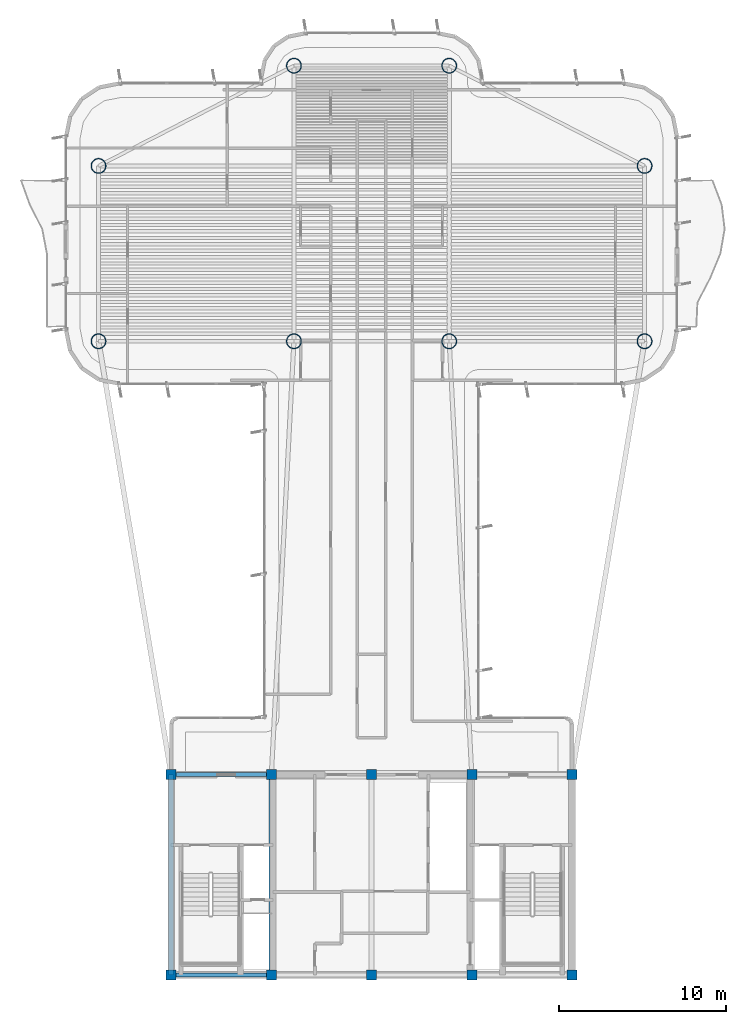
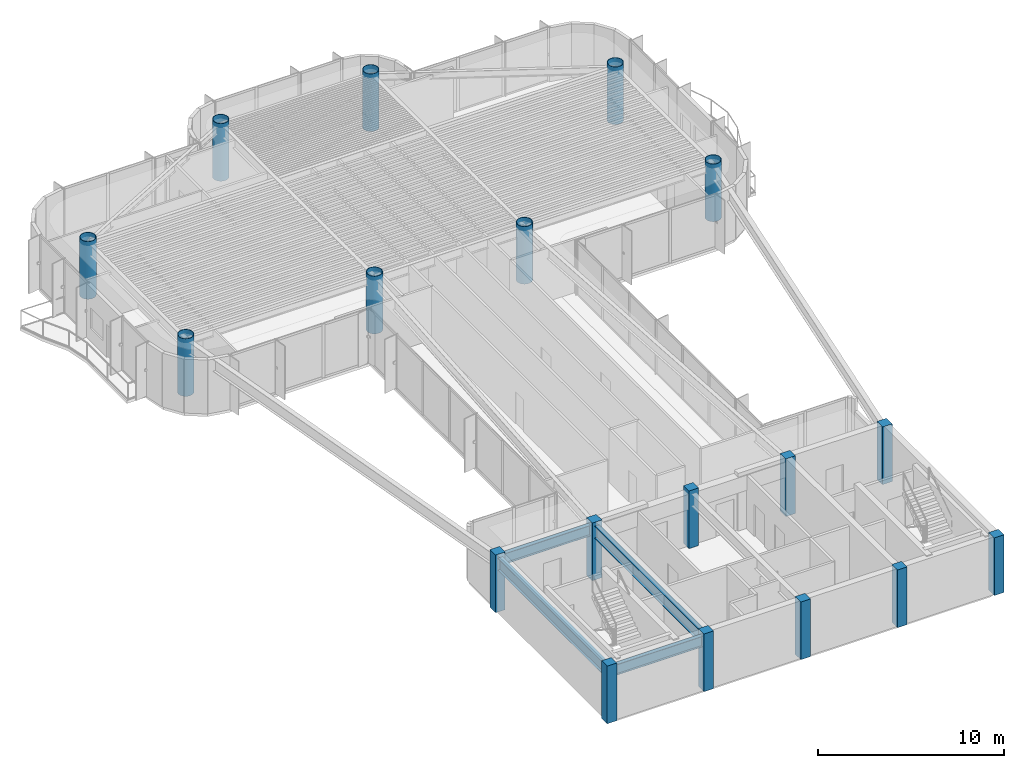
# One storey, part 1 of 15: 18 columns, 4 beams.
"""IFC4 building model written with IfcOpenShell, lengths in metres."""

from ifc_helpers import new_model, si_unit, direction, frame, origin, origin_2d, place, context, subcontext, project, spatial, rectangle, hollow_circle, i_section, extrude, source, transform, mapped, material, material_profile, profile_set, type_object, element, save


model = new_model("IFC4")

# Units and contexts
model_context = context("Model", 3, precision=1e-05, world=origin(), true_north=direction((0.0, 1.0)))
body_context = subcontext(model_context, "Body", "Model", "MODEL_VIEW")
ifc_project = project(units=[si_unit("LENGTHUNIT", "METRE"), si_unit("AREAUNIT", "SQUARE_METRE"), si_unit("VOLUMEUNIT", "CUBIC_METRE"), si_unit("PLANEANGLEUNIT", "RADIAN"), si_unit("MASSUNIT", "GRAM", prefix="KILO")], contexts=[model_context])

# Site, building, storey
site_placement = place(None, origin())
site = spatial("IfcSite", under=ifc_project, at=site_placement, CompositionType="ELEMENT")
building_placement = place(site_placement, origin())
building = spatial("IfcBuilding", under=site, at=building_placement, Name="Brelvock Crest Care Tower", CompositionType="ELEMENT")
storey_placement = place(building_placement, frame((0.0, 0.0, 272.159912109375)))
storey = spatial("IfcBuildingStorey", under=building, at=storey_placement, Name="L69", CompositionType="ELEMENT", Elevation=272.159912109375)

# Columns
ifc_material_1 = material(Name="Concrete S65 (65 MPa)", Category="concrete")
ifc_material_profile_1 = material_profile(ifc_material_1, rectangle(XDim=0.60009765625, YDim=0.60009765625, at=origin_2d()), Name="RC600x600")
ifc_profile_set_1 = profile_set([ifc_material_profile_1], Name="Concrete S65 (65 MPa)")
column_type_1 = type_object("IfcColumnType", Name="COL-RC4", PredefinedType="COLUMN", material=ifc_profile_set_1)
shared_shape_1 = source(origin(), body_context, "Body", "SweptSolid", [
    extrude(rectangle(XDim=0.60009765625, YDim=0.60009765625, at=origin_2d()), origin(), (0.0, 0.0, 1.0), 3.780029296875),
])
for number, where, z_axis, x_axis, name in (
    (1, (24.0, 6.0, 0.0), (0.0, 0.0, 1.0), (1.0, 0.0, 0.0), "L69 Core Column CC-01"),
    (2, (30.0, 6.0, 0.0), (0.0, 0.0, 1.0), (1.0, 0.0, 0.0), "L69 Core Column CC-02"),
    (3, (36.0, 6.0, 0.0), (0.0, 0.0, 1.0), (1.0, 0.0, 0.0), "L69 Core Column CC-03"),
    (4, (42.0, 6.0, 0.0), (0.0, 0.0, 1.0), (1.0, 0.0, 0.0), "L69 Core Column CC-04"),
    (5, (48.0, 6.0, 0.0), (0.0, 0.0, 1.0), (1.0, 0.0, 0.0), "L69 Core Column CC-05"),
    (6, (24.0, 18.0, 0.0), (0.0, 0.0, 1.0), (1.0, 0.0, 0.0), "L69 Core Column CC-06"),
    (7, (30.0, 18.0, 0.0), (0.0, 0.0, 1.0), (1.0, 0.0, 0.0), "L69 Core Column CC-07"),
    (8, (36.0, 18.0, 0.0), (0.0, 0.0, 1.0), (1.0, 0.0, 0.0), "L69 Core Column CC-08"),
    (9, (42.0, 18.0, 0.0), (0.0, 0.0, 1.0), (1.0, 0.0, 0.0), "L69 Core Column CC-09"),
    (10, (48.0, 18.0, 0.0), (0.0, 0.0, 1.0), (1.0, 0.0, 0.0), "L69 Core Column CC-10"),
):
    element("IfcColumn", number, at=place(storey_placement, frame(where, z_axis=z_axis, x_axis=x_axis)), inside=storey, type_object=column_type_1, Name=name, PredefinedType="COLUMN", context=body_context, shape_type="MappedRepresentation", body=[
        mapped(shared_shape_1, transform((0.0, 0.0, 0.0), x_axis=(1.0, 0.0, 0.0), y_axis=(0.0, 1.0, 0.0), z_axis=(0.0, 0.0, 1.0), scale=1.0)),
    ])
ifc_material_2 = material(Name="Steel Grade 350", Category="steel")
ifc_material_profile_2 = material_profile(ifc_material_2, hollow_circle(Radius=0.449951171875, WallThickness=0.031982421875, at=origin_2d()), Name="CFT900x32")
ifc_profile_set_2 = profile_set([ifc_material_profile_2], Name="Steel Grade 350")
column_type_2 = type_object("IfcColumnType", Name="COL-MC4", PredefinedType="COLUMN", material=ifc_profile_set_2)
shared_shape_2 = source(origin(), body_context, "Body", "SweptSolid", [
    extrude(hollow_circle(Radius=0.449951171875, WallThickness=0.031982421875, at=origin_2d()), origin(), (0.0, 0.0, 1.0), 3.780029296875),
])
for number, where, z_axis, x_axis, name in (
    (11, (19.64990234375, 43.949951171875, 0.0), (0.0, 0.0, 1.0), (1.0, 0.0, 0.0), "L69 Tower Column M1"),
    (12, (19.64990234375, 54.449951171875, 0.0), (0.0, 0.0, 1.0), (1.0, 0.0, 0.0), "L69 Tower Column M2"),
    (13, (52.35009765625, 43.949951171875, 0.0), (0.0, 0.0, 1.0), (1.0, 0.0, 0.0), "L69 Tower Column M3"),
    (14, (52.35009765625, 54.449951171875, 0.0), (0.0, 0.0, 1.0), (1.0, 0.0, 0.0), "L69 Tower Column M4"),
    (15, (31.35009765625, 43.949951171875, 0.0), (0.0, 0.0, 1.0), (1.0, 0.0, 0.0), "L69 Tower Column M5"),
    (16, (40.64990234375, 43.949951171875, 0.0), (0.0, 0.0, 1.0), (1.0, 0.0, 0.0), "L69 Tower Column M6"),
    (17, (31.35009765625, 60.449951171875, 0.0), (0.0, 0.0, 1.0), (1.0, 0.0, 0.0), "L69 Tower Column M7"),
    (18, (40.64990234375, 60.449951171875, 0.0), (0.0, 0.0, 1.0), (1.0, 0.0, 0.0), "L69 Tower Column M8"),
):
    element("IfcColumn", number, at=place(storey_placement, frame(where, z_axis=z_axis, x_axis=x_axis)), inside=storey, type_object=column_type_2, Name=name, PredefinedType="COLUMN", context=body_context, shape_type="MappedRepresentation", body=[
        mapped(shared_shape_2, transform((0.0, 0.0, 0.0), x_axis=(1.0, 0.0, 0.0), y_axis=(0.0, 1.0, 0.0), z_axis=(0.0, 0.0, 1.0), scale=1.0)),
    ])

# Beams
ifc_material_profile_3 = material_profile(ifc_material_2, i_section(OverallWidth=0.25, OverallDepth=0.699951171875, WebThickness=0.011962890625, FlangeThickness=0.02001953125, at=origin_2d()), Name="700WB150")
ifc_profile_set_3 = profile_set([ifc_material_profile_3], Name="Steel Grade 350")
beam_type_1 = type_object("IfcBeamType", Name="BM-G4", PredefinedType="BEAM", material=ifc_profile_set_3)
shared_shape_3 = source(origin(), body_context, "Body", "SweptSolid", [
    extrude(i_section(OverallWidth=0.25, OverallDepth=0.699951171875, WebThickness=0.011962890625, FlangeThickness=0.02001953125, at=origin_2d()), origin(), (0.0, 0.0, 1.0), 6.0),
])
for number, where, z_axis, x_axis, name in (
    (19, (24.0, 6.0, 3.18017578125), (1.0, 0.0, 0.0), (0.0, 1.0, 0.0), "BM-CORES-L69-1"),
    (20, (24.0, 18.0, 3.18017578125), (1.0, 0.0, 0.0), (0.0, 1.0, 0.0), "BM-COREN-L69-1"),
):
    element("IfcBeam", number, at=place(storey_placement, frame(where, z_axis=z_axis, x_axis=x_axis)), inside=storey, type_object=beam_type_1, Name=name, PredefinedType="BEAM", context=body_context, shape_type="MappedRepresentation", body=[
        mapped(shared_shape_3, transform((0.0, 0.0, 0.0), x_axis=(1.0, 0.0, 0.0), y_axis=(0.0, 1.0, 0.0), z_axis=(0.0, 0.0, 1.0), scale=1.0)),
    ])
ifc_material_profile_4 = material_profile(ifc_material_2, i_section(OverallWidth=0.300048828125, OverallDepth=0.800048828125, WebThickness=0.013916015625, FlangeThickness=0.02197265625, at=origin_2d()), Name="800WB192")
ifc_profile_set_4 = profile_set([ifc_material_profile_4], Name="Steel Grade 350")
beam_type_2 = type_object("IfcBeamType", Name="BM-G5", PredefinedType="BEAM", material=ifc_profile_set_4)
shared_shape_4 = source(origin(), body_context, "Body", "SweptSolid", [
    extrude(i_section(OverallWidth=0.300048828125, OverallDepth=0.800048828125, WebThickness=0.013916015625, FlangeThickness=0.02197265625, at=origin_2d()), origin(), (0.0, 0.0, 1.0), 12.0),
])
for number, where, z_axis, x_axis, name in (
    (21, (24.0, 6.0, 3.130126953125), (0.0, 1.0, 0.0), (-1.0, 0.0, 0.0), "BM-COREX-L69-1"),
    (22, (30.0, 6.0, 3.130126953125), (0.0, 1.0, 0.0), (-1.0, 0.0, 0.0), "BM-COREX-L69-2"),
):
    element("IfcBeam", number, at=place(storey_placement, frame(where, z_axis=z_axis, x_axis=x_axis)), inside=storey, type_object=beam_type_2, Name=name, PredefinedType="BEAM", context=body_context, shape_type="MappedRepresentation", body=[
        mapped(shared_shape_4, transform((0.0, 0.0, 0.0), x_axis=(1.0, 0.0, 0.0), y_axis=(0.0, 1.0, 0.0), z_axis=(0.0, 0.0, 1.0), scale=1.0)),
    ])

save(model, "model.ifc")
